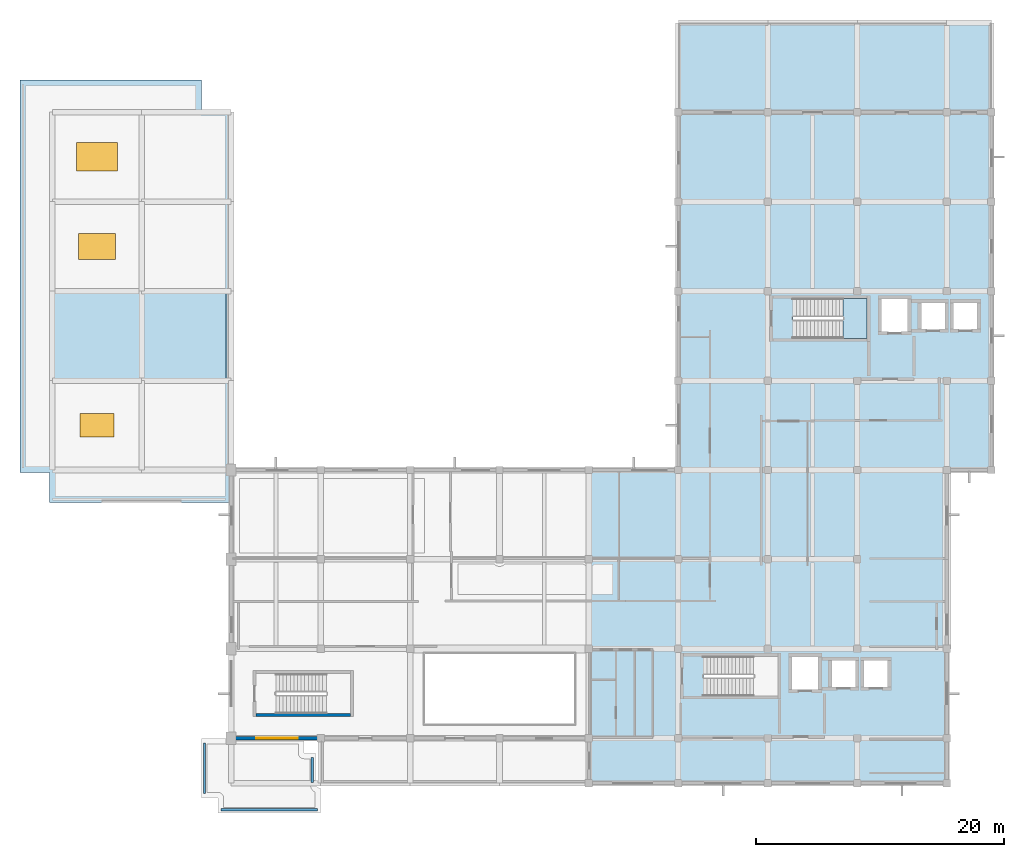
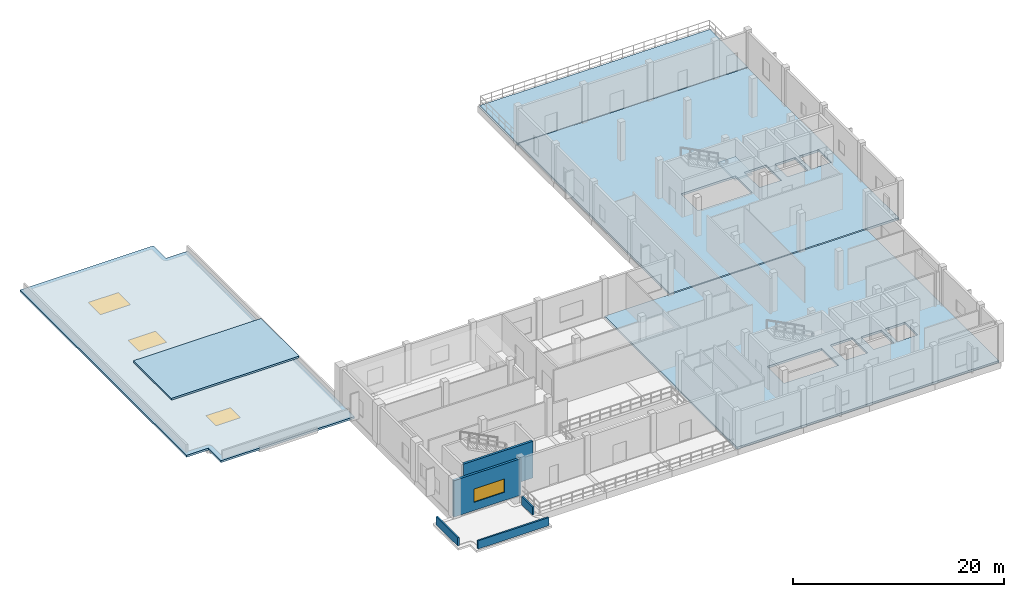
# One storey, part 3 of 14: 6 slabs, 5 walls, 4 windows, 4 openings, 1 element without a shape of its own.
"""IFC4 building model written with IfcOpenShell, lengths in metres."""

from ifc_helpers import new_model, si_unit, direction, frame, frame_2d, origin, origin_2d, place, context, subcontext, project, spatial, polyline, rectangle, outline, extrude, material, layer, layer_set, type_object, element, fill, aggregate, save


model = new_model("IFC4")

# Units and contexts
model_context = context("Model", 3, precision=1e-05, world=origin(), true_north=direction((0.0, 1.0)))
body_context = subcontext(model_context, "Body", "Model", "MODEL_VIEW")
ifc_project = project(units=[si_unit("LENGTHUNIT", "METRE"), si_unit("AREAUNIT", "SQUARE_METRE"), si_unit("VOLUMEUNIT", "CUBIC_METRE"), si_unit("PLANEANGLEUNIT", "RADIAN"), si_unit("MASSUNIT", "GRAM", prefix="KILO")], contexts=[model_context])

# Site, building, storey
site_placement = place(None, origin())
site = spatial("IfcSite", under=ifc_project, at=site_placement, CompositionType="ELEMENT")
building_placement = place(site_placement, origin())
building = spatial("IfcBuilding", under=site, at=building_placement, Name="Seraya Terrace Polytechnic", CompositionType="ELEMENT")
storey_placement = place(building_placement, frame((0.0, 0.0, 27.89990234375)))
storey = spatial("IfcBuildingStorey", under=building, at=storey_placement, Name="L06", CompositionType="ELEMENT", Elevation=27.89990234375)

# Slabs
ifc_material_1 = material(Name="Concrete C40/50", Category="concrete")
ifc_layer_1 = layer(ifc_material_1, 0.25, Name="FS-11")
ifc_layer_set_1 = layer_set([ifc_layer_1], Name="Concrete C40/50")
slab_type_1 = type_object("IfcSlabType", Name="FS-11", PredefinedType="FLOOR", material=ifc_layer_set_1)
slab_1_placement = place(storey_placement, frame((0.0, 0.0, -0.25)))
element("IfcSlab", 1, at=slab_1_placement, inside=storey, type_object=slab_type_1, Name="Floor slab SLB-V2-SOUTHE-L06-S1 (FS-11)", PredefinedType="FLOOR", context=body_context, shape_type="SweptSolid", body=[
    extrude(outline(polyline([(72.06005859375, 28.739990234375), (100.739990234375, 28.739990234375), (100.739990234375, 3.659912109375), (72.06005859375, 3.659912109375), (72.06005859375, 28.739990234375)]), holes=[polyline([(81.239990234375, 10.60009765625), (87.199951171875, 10.60009765625), (87.199951171875, 13.800048828125), (81.239990234375, 13.800048828125), (81.239990234375, 10.60009765625)]), polyline([(91.39990234375, 13.60009765625), (91.39990234375, 11.199951171875), (93.60009765625, 11.199951171875), (93.60009765625, 13.60009765625), (91.39990234375, 13.60009765625)]), polyline([(94.0, 13.60009765625), (94.0, 11.199951171875), (96.199951171875, 11.199951171875), (96.199951171875, 13.60009765625), (94.0, 13.60009765625)]), polyline([(88.199951171875, 11.0), (90.60009765625, 11.0), (90.60009765625, 13.89990234375), (88.199951171875, 13.89990234375), (88.199951171875, 11.0)])]), origin(), (0.0, 0.0, 1.0), 0.25),
])
slab_2_placement = place(storey_placement, frame((0.0, 0.0, -0.25)))
element("IfcSlab", 2, at=slab_2_placement, inside=storey, type_object=slab_type_1, Name="Floor slab SLB-V2-SPINE-L06-S1 (FS-11)", PredefinedType="FLOOR", context=body_context, shape_type="SweptSolid", body=[
    extrude(outline(polyline([(79.260009765625, 57.5400390625), (104.340087890625, 57.5400390625), (104.340087890625, 28.860107421875), (79.260009765625, 28.860107421875), (79.260009765625, 57.5400390625)]), holes=[polyline([(88.43994140625, 39.39990234375), (94.39990234375, 39.39990234375), (94.39990234375, 42.60009765625), (88.43994140625, 42.60009765625), (88.43994140625, 39.39990234375)]), polyline([(98.60009765625, 40.0), (100.800048828125, 40.0), (100.800048828125, 42.39990234375), (98.60009765625, 42.39990234375), (98.60009765625, 40.0)]), polyline([(101.199951171875, 42.39990234375), (101.199951171875, 40.0), (103.39990234375, 40.0), (103.39990234375, 42.39990234375), (101.199951171875, 42.39990234375)]), polyline([(95.39990234375, 42.699951171875), (95.39990234375, 39.800048828125), (97.800048828125, 39.800048828125), (97.800048828125, 42.699951171875), (95.39990234375, 42.699951171875)])]), origin(), (0.0, 0.0, 1.0), 0.25),
])

# Slab, openings, windows
ifc_material_2 = material(Name="Precast concrete C40/50", Category="concrete")
ifc_layer_2 = layer(ifc_material_2, 0.22998046875, Name="RS-03")
ifc_layer_set_2 = layer_set([ifc_layer_2], Name="Precast concrete C40/50")
slab_type_2 = type_object("IfcSlabType", Name="RS-03", PredefinedType="ROOF", material=ifc_layer_set_2)
slab_3_placement = place(storey_placement, frame((0.0, 0.0, -0.22998046875)))
slab_3 = element("IfcSlab", 3, at=slab_3_placement, inside=storey, type_object=slab_type_2, Name="Sculpted overhanging precast roof plate ROOF-L06-WEST", PredefinedType="ROOF", context=body_context, shape_type="SweptSolid", body=[
    extrude(outline(polyline([(28.580078125, 28.60009765625), (26.199951171875, 28.60009765625), (26.199951171875, 60.199951171875), (40.820068359375, 60.199951171875), (40.820068359375, 57.800048828125), (43.199951171875, 57.800048828125), (43.199951171875, 26.199951171875), (28.580078125, 26.199951171875), (28.580078125, 28.60009765625)])), origin(), (0.0, 0.0, 1.0), 0.22998046875),
])
opening_1_placement = place(slab_3_placement, frame((32.39990234375, 32.39990234375, -0.011962890625)))
opening_1 = element("IfcOpeningElement", 4, at=opening_1_placement, cuts=slab_3, Name="Opening SK-04", PredefinedType="OPENING", context=body_context, shape_type="SweptSolid", body=[
    extrude(rectangle(XDim=2.699951171875, YDim=1.89990234375, at=origin_2d()), origin(), (0.0, 0.0, 1.0), 0.25390625),
])
opening_2_placement = place(slab_3_placement, frame((32.39990234375, 46.800048828125, -0.011962890625)))
opening_2 = element("IfcOpeningElement", 5, at=opening_2_placement, cuts=slab_3, Name="Opening SK-05", PredefinedType="OPENING", context=body_context, shape_type="SweptSolid", body=[
    extrude(rectangle(XDim=3.0, YDim=2.10009765625, at=origin_2d()), origin(), (0.0, 0.0, 1.0), 0.25390625),
])
opening_3_placement = place(slab_3_placement, frame((32.39990234375, 54.0, -0.011962890625)))
opening_3 = element("IfcOpeningElement", 6, at=opening_3_placement, cuts=slab_3, Name="Opening SK-06", PredefinedType="OPENING", context=body_context, shape_type="SweptSolid", body=[
    extrude(rectangle(XDim=3.300048828125, YDim=2.300048828125, at=origin_2d()), origin(), (0.0, 0.0, 1.0), 0.25390625),
])
ifc_material_3 = material(Name="Laminated solar-control Low-E double glazing", Category="glass")
window_type_1 = type_object("IfcWindowType", Name="SK-04", PartitioningType="SINGLE_PANEL", PredefinedType="SKYLIGHT", material=ifc_material_3)
window_1_placement = place(slab_3_placement, frame((32.39990234375, 32.39990234375, 0.179931640625)))
window_1 = element("IfcWindow", 7, at=window_1_placement, inside=storey, type_object=window_type_1, Name="Roof skylight and smoke hatch SK-04 #10", OverallHeight=1.89990234375, OverallWidth=2.699951171875, PartitioningType="SINGLE_PANEL", PredefinedType="SKYLIGHT", context=body_context, shape_type="SweptSolid", body=[
    extrude(rectangle(XDim=2.699951171875, YDim=1.89990234375, at=origin_2d()), origin(), (0.0, 0.0, 1.0), 0.050048828125),
])
fill(opening_1, window_1)
window_type_2 = type_object("IfcWindowType", Name="SK-05", PartitioningType="SINGLE_PANEL", PredefinedType="SKYLIGHT", material=ifc_material_3)
window_2_placement = place(slab_3_placement, frame((32.39990234375, 46.800048828125, 0.179931640625)))
window_2 = element("IfcWindow", 8, at=window_2_placement, inside=storey, type_object=window_type_2, Name="Roof skylight and smoke hatch SK-05 #11", OverallHeight=2.10009765625, OverallWidth=3.0, PartitioningType="SINGLE_PANEL", PredefinedType="SKYLIGHT", context=body_context, shape_type="SweptSolid", body=[
    extrude(rectangle(XDim=3.0, YDim=2.10009765625, at=origin_2d()), origin(), (0.0, 0.0, 1.0), 0.050048828125),
])
fill(opening_2, window_2)
window_type_3 = type_object("IfcWindowType", Name="SK-06", PartitioningType="SINGLE_PANEL", PredefinedType="SKYLIGHT", material=ifc_material_3)
window_3_placement = place(slab_3_placement, frame((32.39990234375, 54.0, 0.179931640625)))
window_3 = element("IfcWindow", 9, at=window_3_placement, inside=storey, type_object=window_type_3, Name="Roof skylight and smoke hatch SK-06 #12", OverallHeight=2.300048828125, OverallWidth=3.300048828125, PartitioningType="SINGLE_PANEL", PredefinedType="SKYLIGHT", context=body_context, shape_type="SweptSolid", body=[
    extrude(rectangle(XDim=3.300048828125, YDim=2.300048828125, at=origin_2d()), origin(), (0.0, 0.0, 1.0), 0.050048828125),
])
fill(opening_3, window_3)

# Slab
ifc_layer_3 = layer(ifc_material_1, 0.2099609375, Name="RS-05")
ifc_layer_set_3 = layer_set([ifc_layer_3], Name="Concrete C40/50")
slab_type_3 = type_object("IfcSlabType", Name="RS-05", PredefinedType="ROOF", material=ifc_layer_set_3)
slab_4_placement = place(storey_placement, frame((0.0, 0.0, 0.989990234375)))
element("IfcSlab", 10, at=slab_4_placement, inside=storey, type_object=slab_type_3, Name="Core Core C overrun roof slab", PredefinedType="ROOF", context=body_context, shape_type="SweptSolid", body=[
    extrude(outline(polyline([(28.800048828125, 36.0), (42.800048828125, 36.0), (42.800048828125, 43.199951171875), (28.800048828125, 43.199951171875), (28.800048828125, 36.0)])), origin(), (0.0, 0.0, 1.0), 0.210205078125),
])

# Stair, slab
stair_type = type_object("IfcStairType", Name="ST-T2", PredefinedType="HALF_TURN_STAIR", material=ifc_material_1)
stair_placement = place(storey_placement, origin())
stair = element("IfcStair", 11, at=stair_placement, inside=storey, type_object=stair_type, Name="L06 Protected exit stair ST-02", PredefinedType="HALF_TURN_STAIR")
ifc_layer_4 = layer(ifc_material_1, 0.199951171875, Name="SL-01")
ifc_layer_set_4 = layer_set([ifc_layer_4], Name="Concrete C40/50")
slab_type_4 = type_object("IfcSlabType", Name="SL-01", PredefinedType="LANDING", material=ifc_layer_set_4)
slab_5_placement = place(storey_placement, frame((0.0, 0.0, 2.050048828125)))
slab_5 = element("IfcSlab", 12, at=slab_5_placement, type_object=slab_type_4, Name="ST-02 landing 1", PredefinedType="LANDING", context=body_context, shape_type="SweptSolid", body=[
    extrude(outline(polyline([(92.4599609375, 39.39990234375), (94.39990234375, 39.39990234375), (94.39990234375, 42.60009765625), (92.4599609375, 42.60009765625), (92.4599609375, 39.39990234375)])), origin(), (0.0, 0.0, 1.0), 0.199951171875),
])
aggregate(stair, [slab_5])

# Slab
ifc_layer_5 = layer(ifc_material_1, 0.280029296875, Name="TS-05")
ifc_layer_set_5 = layer_set([ifc_layer_5], Name="Concrete C40/50")
slab_type_5 = type_object("IfcSlabType", Name="TS-05", PredefinedType="FLOOR", material=ifc_layer_set_5)
slab_6_placement = place(storey_placement, frame((0.0, 0.0, -0.27978515625)))
element("IfcSlab", 13, at=slab_6_placement, inside=storey, type_object=slab_type_5, Name="Planted study terrace slab TERR-L06-N", PredefinedType="FLOOR", context=body_context, shape_type="SweptSolid", body=[
    extrude(outline(polyline([(79.199951171875, 57.60009765625), (79.199951171875, 64.800048828125), (104.39990234375, 64.800048828125), (104.39990234375, 57.60009765625), (79.199951171875, 57.60009765625)])), origin(), (0.0, 0.0, 1.0), 0.27978515625),
])

# Wall, opening, window
ifc_layer_6 = layer(ifc_material_2, 0.260009765625, Name="EW-03")
ifc_layer_set_6 = layer_set([ifc_layer_6], Name="Precast concrete C40/50")
wall_type_1 = type_object("IfcWallType", Name="EW-03", PredefinedType="SOLIDWALL", material=ifc_layer_set_6)
wall_1_placement = place(storey_placement, frame((50.39990234375, 7.199951171875, 0.0), z_axis=(0.0, 0.0, 1.0), x_axis=(-1.0, 0.0, 0.0)))
wall_1 = element("IfcWall", 14, at=wall_1_placement, inside=storey, type_object=wall_type_1, Name="Exterior structural wall EW-03 L06", PredefinedType="SOLIDWALL", context=body_context, shape_type="SweptSolid", body=[
    extrude(rectangle(XDim=7.349853515625, YDim=0.260009765625, at=frame_2d((3.6748046875, 0.0))), origin(), (0.0, 0.0, 1.0), 4.22021484375),
])
opening_4_placement = place(wall_1_placement, frame((1.824951171875, 0.0, 0.949951171875)))
opening_4 = element("IfcOpeningElement", 15, at=opening_4_placement, cuts=wall_1, Name="Opening WN-25", PredefinedType="OPENING", context=body_context, shape_type="SweptSolid", body=[
    extrude(rectangle(XDim=3.35009765625, YDim=1.550048828125, at=frame_2d((1.675048828125, 0.77490234375))), frame((0.0, 0.14208984375, 0.0), z_axis=(0.0, -1.0, 0.0), x_axis=(1.0, 0.0, 0.0)), (0.0, 0.0, 1.0), 0.283935546875),
])
window_type_4 = type_object("IfcWindowType", Name="WN-25", PartitioningType="SINGLE_PANEL", PredefinedType="WINDOW", material=ifc_material_3)
window_4_placement = place(opening_4_placement, origin())
window_4 = element("IfcWindow", 16, at=window_4_placement, inside=storey, type_object=window_type_4, Name="Exterior window WN-25 L06", OverallHeight=1.550048828125, OverallWidth=3.35009765625, PartitioningType="SINGLE_PANEL", PredefinedType="WINDOW", context=body_context, shape_type="SweptSolid", body=[
    extrude(rectangle(XDim=3.35009765625, YDim=1.550048828125, at=frame_2d((1.675048828125, 0.77490234375))), frame((0.0, 0.030029296875, 0.0), z_axis=(0.0, -1.0, 0.0), x_axis=(1.0, 0.0, 0.0)), (0.0, 0.0, 1.0), 0.06005859375),
])
fill(opening_4, window_4)

# Walls
ifc_layer_7 = layer(ifc_material_2, 0.179931640625, Name="PW-P2")
ifc_layer_set_7 = layer_set([ifc_layer_7], Name="Precast concrete C40/50")
wall_type_2 = type_object("IfcWallType", Name="PW-P2", PredefinedType="PARAPET", material=ifc_layer_set_7)
wall_2_placement = place(storey_placement, frame((50.14990234375, 1.449951171875, 0.0), z_axis=(0.0, 0.0, 1.0), x_axis=(-1.0, 0.0, 0.0)))
element("IfcWall", 17, at=wall_2_placement, inside=storey, type_object=wall_type_2, Name="Roof parapet ROOF-L06-SW 1.1", PredefinedType="PARAPET", context=body_context, shape_type="SweptSolid", body=[
    extrude(rectangle(XDim=7.755859375, YDim=0.179931640625, at=frame_2d((3.8779296875, 0.0))), origin(), (0.0, 0.0, 1.0), 0.9501953125),
])
wall_3_placement = place(storey_placement, frame((41.050048828125, 2.760009765625, 0.0), z_axis=(0.0, 0.0, 1.0), x_axis=(0.0, 1.0, 0.0)))
element("IfcWall", 18, at=wall_3_placement, inside=storey, type_object=wall_type_2, Name="Roof parapet ROOF-L06-SW 8.1", PredefinedType="PARAPET", context=body_context, shape_type="SweptSolid", body=[
    extrude(rectangle(XDim=4.080078125, YDim=0.179931640625, at=frame_2d((2.0400390625, 0.0))), origin(), (0.0, 0.0, 1.0), 0.9501953125),
])
wall_4_placement = place(storey_placement, frame((49.73046875, 5.639892578125, 0.0), z_axis=(0.0, 0.0, 1.0), x_axis=(0.001345564531, -0.999999094728, 0.0)))
element("IfcWall", 19, at=wall_4_placement, inside=storey, type_object=wall_type_2, Name="Roof parapet ROOF-L06-SW 16.1", PredefinedType="PARAPET", context=body_context, shape_type="SweptSolid", body=[
    extrude(rectangle(XDim=1.995849609375, YDim=0.179931640625, at=frame_2d((0.998046875, 0.0))), origin(), (0.0, 0.0, 1.0), 0.9501953125),
])
ifc_layer_8 = layer(ifc_material_1, 0.25, Name="SW-02")
ifc_layer_set_8 = layer_set([ifc_layer_8], Name="Concrete C40/50")
wall_type_3 = type_object("IfcWallType", Name="SW-02", PredefinedType="SHEAR", material=ifc_layer_set_8)
wall_5_placement = place(storey_placement, frame((45.199951171875, 9.074951171875, 0.0), z_axis=(0.0, 0.0, 1.0), x_axis=(1.0, 0.0, 0.0)))
element("IfcWall", 20, at=wall_5_placement, inside=storey, type_object=wall_type_3, Name="Stairwell ST-03 South wall L06", PredefinedType="SHEAR", context=body_context, shape_type="SweptSolid", body=[
    extrude(rectangle(XDim=7.60009765625, YDim=0.25, at=frame_2d((3.800048828125, 0.0))), origin(), (0.0, 0.0, 1.0), 4.25),
])

save(model, "model.ifc")
